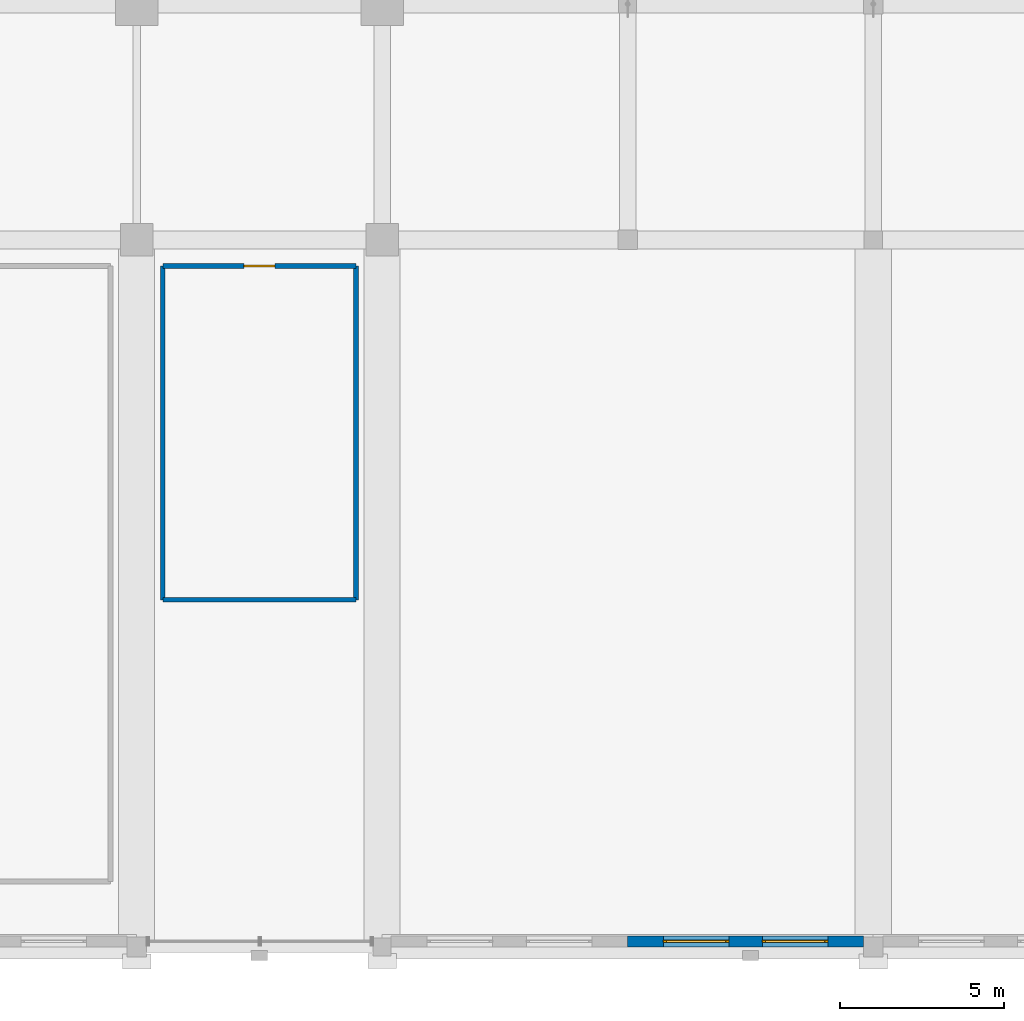
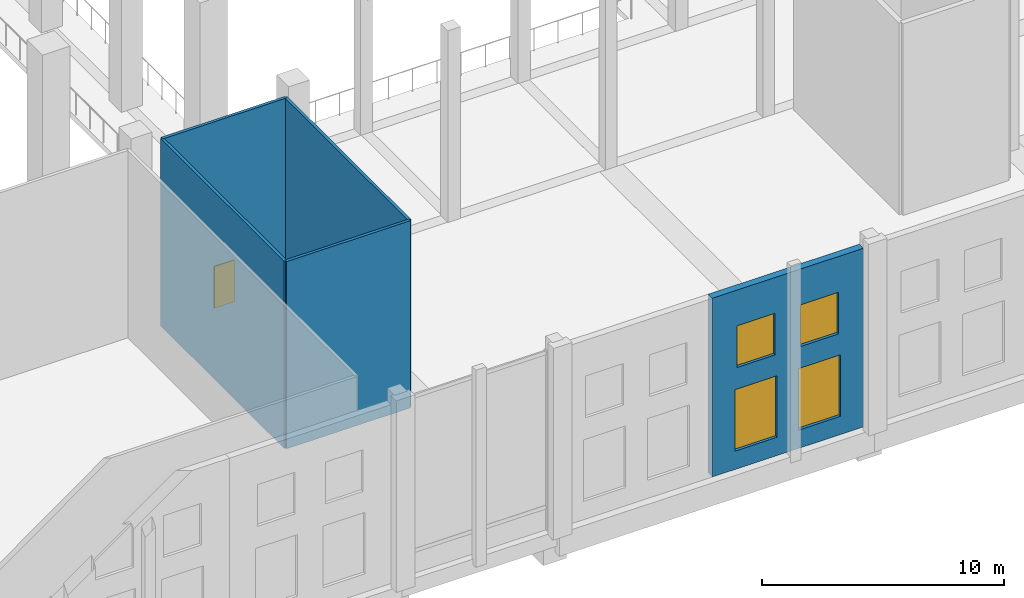
# One storey, part 64 of 80: 5 walls, 4 windows, 1 door, 5 openings.
"""IFC4 building model written with IfcOpenShell, lengths in metres."""

from ifc_helpers import new_model, si_unit, direction, frame, frame_2d, origin, place, context, subcontext, project, spatial, rectangle, extrude, material, layer, layer_set, type_object, element, fill, save


model = new_model("IFC4")

# Units and contexts
model_context = context("Model", 3, precision=1e-05, world=origin(), true_north=direction((0.0, 1.0)))
body_context = subcontext(model_context, "Body", "Model", "MODEL_VIEW")
ifc_project = project(units=[si_unit("LENGTHUNIT", "METRE"), si_unit("AREAUNIT", "SQUARE_METRE"), si_unit("VOLUMEUNIT", "CUBIC_METRE"), si_unit("PLANEANGLEUNIT", "RADIAN"), si_unit("MASSUNIT", "GRAM", prefix="KILO")], contexts=[model_context])

# Site, building, storey
site_placement = place(None, origin())
site = spatial("IfcSite", under=ifc_project, at=site_placement, CompositionType="ELEMENT")
building_placement = place(site_placement, origin())
building = spatial("IfcBuilding", under=site, at=building_placement, Name="Akrevak Sports Hall", CompositionType="ELEMENT")
storey_placement = place(building_placement, frame((0.0, 0.0, 14.0)))
storey = spatial("IfcBuildingStorey", under=building, at=storey_placement, Name="L03", CompositionType="ELEMENT", Elevation=14.0)

# Wall, openings, windows
ifc_material_1 = material(Name="Limestone Ashlar", Category="stone")
ifc_layer_1 = layer(ifc_material_1, 0.070068359375, Name="Limestone Ashlar")
ifc_material_2 = material(Name="Mineral Wool Thermal Insulation", Category="insulation")
ifc_layer_2 = layer(ifc_material_2, 0.10009765625, Name="Mineral Wool Thermal Insulation")
ifc_material_3 = material(Name="Concrete C40/50", Category="concrete")
ifc_layer_3 = layer(ifc_material_3, 0.169921875, Name="Concrete C40/50")
ifc_layer_set_1 = layer_set([ifc_layer_1, ifc_layer_2, ifc_layer_3], Name="Limestone Ashlar / Mineral Wool Thermal Insulation / Concrete C40/50")
wall_type_1 = type_object("IfcWallType", Name="ARC-WL-EXT-340", PredefinedType="SOLIDWALL", material=ifc_layer_set_1)
wall_1_placement = place(storey_placement, frame((123.0, 0.169921875, 0.0), z_axis=(0.0, 0.0, 1.0), x_axis=(1.0, 0.0, 0.0)))
wall_1 = element("IfcWall", 1, at=wall_1_placement, inside=storey, type_object=wall_type_1, Name="Exterior Limestone Wall L03-S15", PredefinedType="SOLIDWALL", context=body_context, shape_type="SweptSolid", body=[
    extrude(rectangle(XDim=7.199951171875, YDim=0.340087890625, at=frame_2d((3.60009765625, 0.0))), origin(), (0.0, 0.0, 1.0), 9.0),
])
opening_1_placement = place(wall_1_placement, frame((1.087890625, 0.0, 0.919921875)))
opening_1 = element("IfcOpeningElement", 2, at=opening_1_placement, cuts=wall_1, Name="Opening WN-41", PredefinedType="OPENING", context=body_context, shape_type="SweptSolid", body=[
    extrude(rectangle(XDim=2.0, YDim=3.10009765625, at=frame_2d((1.0, 1.550048828125))), frame((0.0, 0.18212890625, 0.0), z_axis=(0.0, -1.0, 0.0), x_axis=(1.0, 0.0, 0.0)), (0.0, 0.0, 1.0), 0.364013671875),
])
opening_2_placement = place(wall_1_placement, frame((1.18798828125, 0.0, 5.10009765625)))
opening_2 = element("IfcOpeningElement", 3, at=opening_2_placement, cuts=wall_1, Name="Opening WN-37", PredefinedType="OPENING", context=body_context, shape_type="SweptSolid", body=[
    extrude(rectangle(XDim=1.800048828125, YDim=2.10009765625, at=frame_2d((0.89990234375, 1.050048828125))), frame((0.0, 0.18212890625, 0.0), z_axis=(0.0, -1.0, 0.0), x_axis=(1.0, 0.0, 0.0)), (0.0, 0.0, 1.0), 0.364013671875),
])
opening_3_placement = place(wall_1_placement, frame((4.112060546875, 0.0, 0.919921875)))
opening_3 = element("IfcOpeningElement", 4, at=opening_3_placement, cuts=wall_1, Name="Opening WN-41", PredefinedType="OPENING", context=body_context, shape_type="SweptSolid", body=[
    extrude(rectangle(XDim=2.0, YDim=3.10009765625, at=frame_2d((1.0, 1.550048828125))), frame((0.0, 0.18212890625, 0.0), z_axis=(0.0, -1.0, 0.0), x_axis=(1.0, 0.0, 0.0)), (0.0, 0.0, 1.0), 0.364013671875),
])
opening_4_placement = place(wall_1_placement, frame((4.2119140625, 0.0, 5.10009765625)))
opening_4 = element("IfcOpeningElement", 5, at=opening_4_placement, cuts=wall_1, Name="Opening WN-37", PredefinedType="OPENING", context=body_context, shape_type="SweptSolid", body=[
    extrude(rectangle(XDim=1.800048828125, YDim=2.10009765625, at=frame_2d((0.89990234375, 1.050048828125))), frame((0.0, 0.18212890625, 0.0), z_axis=(0.0, -1.0, 0.0), x_axis=(1.0, 0.0, 0.0)), (0.0, 0.0, 1.0), 0.364013671875),
])
ifc_material_4 = material(Name="Thermally Broken Bronze Frame & Double Low-E Glass", Category="glass")
window_type_1 = type_object("IfcWindowType", Name="ARC-WIN-SZ-1800x2100", PartitioningType="SINGLE_PANEL", PredefinedType="WINDOW", material=ifc_material_4)
window_1_placement = place(opening_2_placement, origin())
window_1 = element("IfcWindow", 6, at=window_1_placement, inside=storey, type_object=window_type_1, Name="Beaux-Arts Attic Clerestory Window WIN-L03-S15-1U", OverallHeight=2.10009765625, OverallWidth=1.800048828125, PartitioningType="SINGLE_PANEL", PredefinedType="WINDOW", context=body_context, shape_type="SweptSolid", body=[
    extrude(rectangle(XDim=1.800048828125, YDim=2.10009765625, at=frame_2d((0.89990234375, 1.050048828125))), frame((0.0, 0.030029296875, 0.0), z_axis=(0.0, -1.0, 0.0), x_axis=(1.0, 0.0, 0.0)), (0.0, 0.0, 1.0), 0.06005859375),
])
fill(opening_2, window_1)
window_2_placement = place(opening_4_placement, origin())
window_2 = element("IfcWindow", 7, at=window_2_placement, inside=storey, type_object=window_type_1, Name="Beaux-Arts Attic Clerestory Window WIN-L03-S15-2U", OverallHeight=2.10009765625, OverallWidth=1.800048828125, PartitioningType="SINGLE_PANEL", PredefinedType="WINDOW", context=body_context, shape_type="SweptSolid", body=[
    extrude(rectangle(XDim=1.800048828125, YDim=2.10009765625, at=frame_2d((0.89990234375, 1.050048828125))), frame((0.0, 0.030029296875, 0.0), z_axis=(0.0, -1.0, 0.0), x_axis=(1.0, 0.0, 0.0)), (0.0, 0.0, 1.0), 0.06005859375),
])
fill(opening_4, window_2)
window_type_2 = type_object("IfcWindowType", Name="ARC-WIN-SZ-2000x3100", PartitioningType="SINGLE_PANEL", PredefinedType="WINDOW", material=ifc_material_4)
window_3_placement = place(opening_1_placement, origin())
window_3 = element("IfcWindow", 8, at=window_3_placement, inside=storey, type_object=window_type_2, Name="Beaux-Arts Facade Window WIN-L03-S15-1", OverallHeight=3.10009765625, OverallWidth=2.0, PartitioningType="SINGLE_PANEL", PredefinedType="WINDOW", context=body_context, shape_type="SweptSolid", body=[
    extrude(rectangle(XDim=2.0, YDim=3.10009765625, at=frame_2d((1.0, 1.550048828125))), frame((0.0, 0.030029296875, 0.0), z_axis=(0.0, -1.0, 0.0), x_axis=(1.0, 0.0, 0.0)), (0.0, 0.0, 1.0), 0.06005859375),
])
fill(opening_1, window_3)
window_4_placement = place(opening_3_placement, origin())
window_4 = element("IfcWindow", 9, at=window_4_placement, inside=storey, type_object=window_type_2, Name="Beaux-Arts Facade Window WIN-L03-S15-2", OverallHeight=3.10009765625, OverallWidth=2.0, PartitioningType="SINGLE_PANEL", PredefinedType="WINDOW", context=body_context, shape_type="SweptSolid", body=[
    extrude(rectangle(XDim=2.0, YDim=3.10009765625, at=frame_2d((1.0, 1.550048828125))), frame((0.0, 0.030029296875, 0.0), z_axis=(0.0, -1.0, 0.0), x_axis=(1.0, 0.0, 0.0)), (0.0, 0.0, 1.0), 0.06005859375),
])
fill(opening_3, window_4)

# Wall
ifc_material_5 = material(Name="Moisture-Resistant Wet-Area Partition", Category="gypsum")
ifc_layer_4 = layer(ifc_material_5, 0.139892578125, Name="Moisture-Resistant Wet-Area Partition")
ifc_layer_set_2 = layer_set([ifc_layer_4], Name="Moisture-Resistant Wet-Area Partition")
wall_type_2 = type_object("IfcWallType", Name="ARC-WL-PRT-140", PredefinedType="PARTITIONING", material=ifc_layer_set_2)
wall_2_placement = place(storey_placement, frame((108.800048828125, 10.60009765625, 0.0), z_axis=(0.0, 0.0, 1.0), x_axis=(1.0, 0.0, 0.0)))
element("IfcWall", 10, at=wall_2_placement, inside=storey, type_object=wall_type_2, Name="Interior Partition Public WC L03 (S)", PredefinedType="PARTITIONING", context=body_context, shape_type="SweptSolid", body=[
    extrude(rectangle(XDim=5.89990234375, YDim=0.139892578125, at=frame_2d((2.949951171875, 0.0))), origin(), (0.0, 0.0, 1.0), 9.429931640625),
])

# Wall, opening, door
wall_3_placement = place(storey_placement, frame((108.800048828125, 20.800048828125, 0.0), z_axis=(0.0, 0.0, 1.0), x_axis=(1.0, 0.0, 0.0)))
wall_3 = element("IfcWall", 11, at=wall_3_placement, inside=storey, type_object=wall_type_2, Name="Interior Partition Public WC L03 (N)", PredefinedType="PARTITIONING", context=body_context, shape_type="SweptSolid", body=[
    extrude(rectangle(XDim=5.89990234375, YDim=0.139892578125, at=frame_2d((2.949951171875, 0.0))), origin(), (0.0, 0.0, 1.0), 9.429931640625),
])
opening_5_placement = place(wall_3_placement, frame((2.47509765625, 0.0, 0.0)))
opening_5 = element("IfcOpeningElement", 12, at=opening_5_placement, cuts=wall_3, Name="Opening ID-08", PredefinedType="OPENING", context=body_context, shape_type="SweptSolid", body=[
    extrude(rectangle(XDim=0.949951171875, YDim=2.10009765625, at=frame_2d((0.47509765625, 1.050048828125))), frame((0.0, 0.08203125, 0.0), z_axis=(0.0, -1.0, 0.0), x_axis=(1.0, 0.0, 0.0)), (0.0, 0.0, 1.0), 0.163818359375),
])
ifc_material_6 = material(Name="High-Pressure Laminate & Aluminium", Category="aluminium")
door_type = type_object("IfcDoorType", Name="ARC-DR-WC-095x210", OperationType="NOTDEFINED", PredefinedType="DOOR", material=ifc_material_6)
door_placement = place(opening_5_placement, origin())
door = element("IfcDoor", 13, at=door_placement, inside=storey, type_object=door_type, Name="Door to Public WC L03", OperationType="SINGLE_SWING_LEFT", OverallHeight=2.10009765625, OverallWidth=0.949951171875, PredefinedType="DOOR", context=body_context, shape_type="SweptSolid", body=[
    extrude(rectangle(XDim=0.949951171875, YDim=2.10009765625, at=frame_2d((0.47509765625, 1.050048828125))), frame((0.0, 0.02490234375, 0.0), z_axis=(0.0, -1.0, 0.0), x_axis=(1.0, 0.0, 0.0)), (0.0, 0.0, 1.0), 0.050048828125),
])
fill(opening_5, door)

# Walls
for number, where, z_axis, x_axis, name in (
    (14, (108.800048828125, 10.60009765625, 0.0), (0.0, 0.0, 1.0), (0.0, 1.0, 0.0), "Interior Partition Public WC L03 (W)"),
    (15, (114.699951171875, 10.60009765625, 0.0), (0.0, 0.0, 1.0), (0.0, 1.0, 0.0), "Interior Partition Public WC L03 (E)"),
):
    element("IfcWall", number, at=place(storey_placement, frame(where, z_axis=z_axis, x_axis=x_axis)), inside=storey, type_object=wall_type_2, Name=name, PredefinedType="PARTITIONING", context=body_context, shape_type="SweptSolid", body=[
        extrude(rectangle(XDim=10.199951171875, YDim=0.139892578125, at=frame_2d((5.10009765625, 0.0))), origin(), (0.0, 0.0, 1.0), 9.429931640625),
    ])

save(model, "model.ifc")
